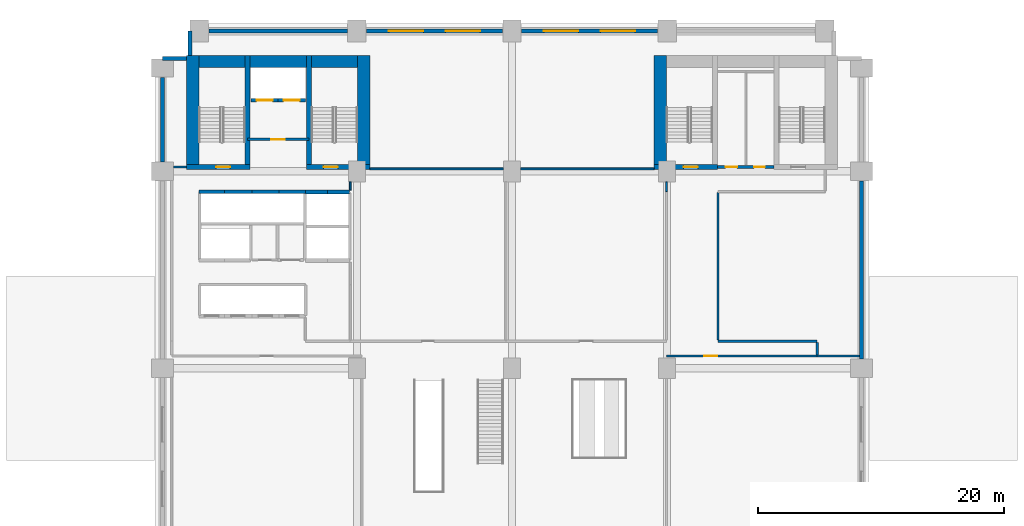
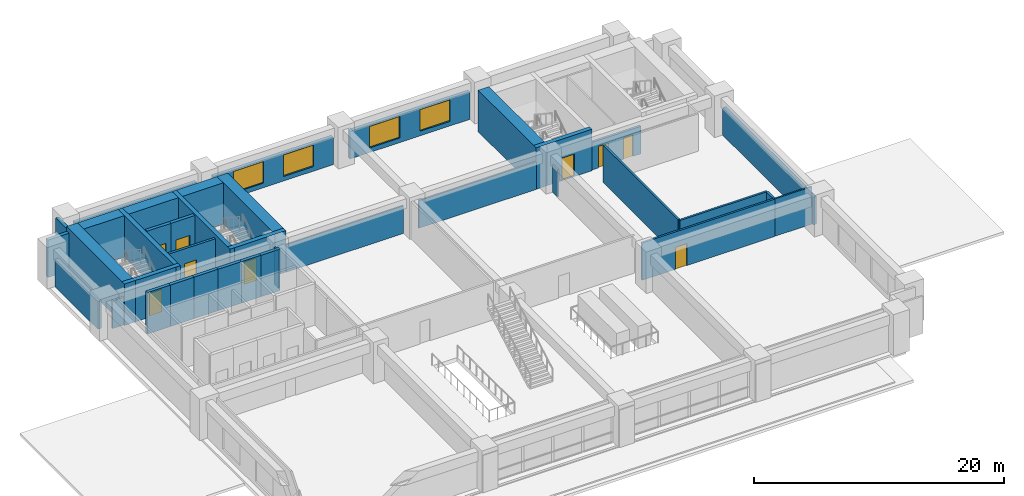
# One storey, part 6 of 11: 36 walls, 9 doors, 4 windows, 13 openings.
"""IFC4 building model written with IfcOpenShell, lengths in metres."""

from ifc_helpers import new_model, si_unit, direction, frame, frame_2d, origin, place, context, subcontext, project, spatial, rectangle, extrude, material, layer, layer_set, type_object, element, fill, save


model = new_model("IFC4")

# Units and contexts
model_context = context("Model", 3, precision=1e-05, world=origin(), true_north=direction((0.0, 1.0)))
body_context = subcontext(model_context, "Body", "Model", "MODEL_VIEW")
ifc_project = project(units=[si_unit("LENGTHUNIT", "METRE"), si_unit("AREAUNIT", "SQUARE_METRE"), si_unit("VOLUMEUNIT", "CUBIC_METRE"), si_unit("PLANEANGLEUNIT", "RADIAN"), si_unit("MASSUNIT", "GRAM", prefix="KILO")], contexts=[model_context])

# Site, building, storey
site_placement = place(None, origin())
site = spatial("IfcSite", under=ifc_project, at=site_placement, CompositionType="ELEMENT")
building_placement = place(site_placement, origin())
building = spatial("IfcBuilding", under=site, at=building_placement, Name="Sulina Concourse Tower", CompositionType="ELEMENT")
storey_placement = place(building_placement, frame((0.0, 0.0, 5.39990234375)))
storey = spatial("IfcBuildingStorey", under=building, at=storey_placement, Name="L01", CompositionType="ELEMENT", Elevation=5.39990234375)

# Walls
ifc_material_1 = material(Name="Concrete C50/60", Category="concrete")
ifc_layer_1 = layer(ifc_material_1, 0.300048828125)
ifc_layer_set_1 = layer_set([ifc_layer_1], Name="Concrete C50/60")
wall_type_1 = type_object("IfcWallType", Name="Core Lift Hoistway Wall 300mm", PredefinedType="SOLIDWALL", material=ifc_layer_set_1)
for number, where, z_axis, x_axis, name in (
    (1, (12.219970703125, 32.320068359375, 0.0), (0.0, 0.0, 1.0), (1.0, 0.0, 0.0), "L01 hoistway enclosure wall LP-07"),
    (2, (14.0, 32.320068359375, 0.0), (0.0, 0.0, 1.0), (1.0, 0.0, 0.0), "L01 hoistway enclosure wall LP-08"),
):
    element("IfcWall", number, at=place(storey_placement, frame(where, z_axis=z_axis, x_axis=x_axis)), inside=storey, type_object=wall_type_1, Name=name, PredefinedType="SOLIDWALL", context=body_context, shape_type="SweptSolid", body=[
        extrude(rectangle(XDim=1.780029296875, YDim=0.300048828125, at=frame_2d((0.89013671875, 0.0))), origin(), (0.0, 0.0, 1.0), 4.050048828125),
    ])
wall_1_placement = place(storey_placement, frame((3.550048828125, 32.35009765625, 0.0), z_axis=(0.0, 0.0, 1.0), x_axis=(1.0, 0.0, 0.0)))
element("IfcWall", 3, at=wall_1_placement, inside=storey, type_object=wall_type_1, Name="L01 hoistway enclosure wall LP-09", PredefinedType="SOLIDWALL", context=body_context, shape_type="SweptSolid", body=[
    extrude(rectangle(XDim=2.099853515625, YDim=0.300048828125, at=frame_2d((1.0498046875, 0.0))), origin(), (0.0, 0.0, 1.0), 4.050048828125),
])
wall_2_placement = place(storey_placement, frame((5.64990234375, 32.35009765625, 0.0), z_axis=(0.0, 0.0, 1.0), x_axis=(1.0, 0.0, 0.0)))
element("IfcWall", 4, at=wall_2_placement, inside=storey, type_object=wall_type_1, Name="L01 hoistway enclosure wall LP-10", PredefinedType="SOLIDWALL", context=body_context, shape_type="SweptSolid", body=[
    extrude(rectangle(XDim=2.2001953125, YDim=0.300048828125, at=frame_2d((1.10009765625, 0.0))), origin(), (0.0, 0.0, 1.0), 4.050048828125),
])
wall_3_placement = place(storey_placement, frame((7.85009765625, 32.35009765625, 0.0), z_axis=(0.0, 0.0, 1.0), x_axis=(1.0, 0.0, 0.0)))
element("IfcWall", 5, at=wall_3_placement, inside=storey, type_object=wall_type_1, Name="L01 hoistway enclosure wall LP-11", PredefinedType="SOLIDWALL", context=body_context, shape_type="SweptSolid", body=[
    extrude(rectangle(XDim=2.199951171875, YDim=0.300048828125, at=frame_2d((1.10009765625, 0.0))), origin(), (0.0, 0.0, 1.0), 4.050048828125),
])
wall_4_placement = place(storey_placement, frame((10.050048828125, 32.35009765625, 0.0), z_axis=(0.0, 0.0, 1.0), x_axis=(1.0, 0.0, 0.0)))
element("IfcWall", 6, at=wall_4_placement, inside=storey, type_object=wall_type_1, Name="L01 hoistway enclosure wall LP-12", PredefinedType="SOLIDWALL", context=body_context, shape_type="SweptSolid", body=[
    extrude(rectangle(XDim=2.14990234375, YDim=0.300048828125, at=frame_2d((1.074951171875, 0.0))), origin(), (0.0, 0.0, 1.0), 4.050048828125),
])

# Wall, opening, door
wall_5_placement = place(storey_placement, frame((10.0, 39.780029296875, 0.0), z_axis=(0.0, 0.0, 1.0), x_axis=(-1.0, 0.0, 0.0)))
wall_5 = element("IfcWall", 7, at=wall_5_placement, inside=storey, type_object=wall_type_1, Name="L01 hoistway enclosure wall FFL-1", PredefinedType="SOLIDWALL", context=body_context, shape_type="SweptSolid", body=[
    extrude(rectangle(XDim=2.199951171875, YDim=0.300048828125, at=frame_2d((1.10009765625, 0.0))), origin(), (0.0, 0.0, 1.0), 4.050048828125),
])
opening_1_placement = place(wall_5_placement, frame((0.449951171875, 0.0, 0.0)))
opening_1 = element("IfcOpeningElement", 8, at=opening_1_placement, cuts=wall_5, Name="Opening LD-02", PredefinedType="OPENING", context=body_context, shape_type="SweptSolid", body=[
    extrude(rectangle(XDim=1.300048828125, YDim=2.25, at=frame_2d((0.64990234375, 1.125))), frame((0.0, 0.159912109375, 0.0), z_axis=(0.0, -1.0, 0.0), x_axis=(1.0, 0.0, 0.0)), (0.0, 0.0, 1.0), 0.320068359375),
])
ifc_material_2 = material(Name="Stainless steel lift landing door", Category="steel")
ifc_layer_2 = layer(ifc_material_2, 0.050048828125)
ifc_layer_set_2 = layer_set([ifc_layer_2], Name="Stainless steel lift landing door")
door_type_1 = type_object("IfcDoorType", Name="Firefighting Lift Sliding Landing Door 1300x2250", OperationType="SLIDING_TO_RIGHT", PredefinedType="DOOR", material=ifc_layer_set_2)
door_1_placement = place(opening_1_placement, origin())
door_1 = element("IfcDoor", 9, at=door_1_placement, inside=storey, type_object=door_type_1, Name="L01 lift landing sliding door FFL-1", OperationType="SLIDING_TO_LEFT", OverallHeight=2.25, OverallWidth=1.300048828125, PredefinedType="DOOR", context=body_context, shape_type="SweptSolid", body=[
    extrude(rectangle(XDim=1.300048828125, YDim=2.25, at=frame_2d((0.64990234375, 1.125))), frame((0.0, 0.02490234375, 0.0), z_axis=(0.0, -1.0, 0.0), x_axis=(1.0, 0.0, 0.0)), (0.0, 0.0, 1.0), 0.050048828125),
])
fill(opening_1, door_1)

wall_6_placement = place(storey_placement, frame((12.199951171875, 39.780029296875, 0.0), z_axis=(0.0, 0.0, 1.0), x_axis=(-1.0, 0.0, 0.0)))
wall_6 = element("IfcWall", 10, at=wall_6_placement, inside=storey, type_object=wall_type_1, Name="L01 hoistway enclosure wall FFL-2", PredefinedType="SOLIDWALL", context=body_context, shape_type="SweptSolid", body=[
    extrude(rectangle(XDim=2.199951171875, YDim=0.300048828125, at=frame_2d((1.10009765625, 0.0))), origin(), (0.0, 0.0, 1.0), 4.050048828125),
])
opening_2_placement = place(wall_6_placement, frame((0.449951171875, 0.0, 0.0)))
opening_2 = element("IfcOpeningElement", 11, at=opening_2_placement, cuts=wall_6, Name="Opening LD-02", PredefinedType="OPENING", context=body_context, shape_type="SweptSolid", body=[
    extrude(rectangle(XDim=1.300048828125, YDim=2.25, at=frame_2d((0.64990234375, 1.125))), frame((0.0, 0.159912109375, 0.0), z_axis=(0.0, -1.0, 0.0), x_axis=(1.0, 0.0, 0.0)), (0.0, 0.0, 1.0), 0.320068359375),
])
door_2_placement = place(opening_2_placement, origin())
door_2 = element("IfcDoor", 12, at=door_2_placement, inside=storey, type_object=door_type_1, Name="L01 lift landing sliding door FFL-2", OperationType="SLIDING_TO_RIGHT", OverallHeight=2.25, OverallWidth=1.300048828125, PredefinedType="DOOR", context=body_context, shape_type="SweptSolid", body=[
    extrude(rectangle(XDim=1.300048828125, YDim=2.25, at=frame_2d((0.64990234375, 1.125))), frame((0.0, 0.02490234375, 0.0), z_axis=(0.0, -1.0, 0.0), x_axis=(1.0, 0.0, 0.0)), (0.0, 0.0, 1.0), 0.050048828125),
])
fill(opening_2, door_2)

ifc_material_3 = material(Name="Gypsum board on steel stud", Category="steel")
ifc_layer_3 = layer(ifc_material_3, 0.219970703125)
ifc_layer_set_3 = layer_set([ifc_layer_3], Name="Gypsum board on steel stud")
wall_type_2 = type_object("IfcWallType", Name="Fire-Rated Lobby & Compartment Wall 220mm", PredefinedType="PARTITIONING", material=ifc_layer_set_3)
wall_7_placement = place(storey_placement, frame((7.510009765625, 36.60009765625, 0.0), z_axis=(0.0, 0.0, 1.0), x_axis=(1.0, 0.0, 0.0)))
wall_7 = element("IfcWall", 13, at=wall_7_placement, inside=storey, type_object=wall_type_2, Name="L01 firefighting lobby south fire wall", PredefinedType="PARTITIONING", context=body_context, shape_type="SweptSolid", body=[
    extrude(rectangle(XDim=4.97998046875, YDim=0.219970703125, at=frame_2d((2.489990234375, 0.0))), origin(), (0.0, 0.0, 1.0), 3.650146484375),
])
opening_3_placement = place(wall_7_placement, frame((1.93994140625, 0.0, 0.0)))
opening_3 = element("IfcOpeningElement", 14, at=opening_3_placement, cuts=wall_7, Name="Opening DR-47", PredefinedType="OPENING", context=body_context, shape_type="SweptSolid", body=[
    extrude(rectangle(XDim=1.10009765625, YDim=2.199951171875, at=frame_2d((0.550048828125, 1.10009765625))), frame((0.0, 0.119873046875, 0.0), z_axis=(0.0, -1.0, 0.0), x_axis=(1.0, 0.0, 0.0)), (0.0, 0.0, 1.0), 0.239990234375),
])
ifc_material_4 = material(Name="Galvanised steel acoustic fire leaf", Category="steel")
ifc_layer_4 = layer(ifc_material_4, 0.054931640625)
ifc_layer_set_4 = layer_set([ifc_layer_4], Name="Galvanised steel acoustic fire leaf")
door_type_2 = type_object("IfcDoorType", Name="Firefighting Lobby Fire Door 1100x2200", OperationType="NOTDEFINED", PredefinedType="DOOR", material=ifc_layer_set_4)
door_3_placement = place(opening_3_placement, origin())
door_3 = element("IfcDoor", 15, at=door_3_placement, inside=storey, type_object=door_type_2, Name="L01 firefighting lobby fire door", OperationType="SINGLE_SWING_RIGHT", OverallHeight=2.199951171875, OverallWidth=1.10009765625, PredefinedType="DOOR", context=body_context, shape_type="SweptSolid", body=[
    extrude(rectangle(XDim=1.10009765625, YDim=2.199951171875, at=frame_2d((0.550048828125, 1.10009765625))), frame((0.0, 0.02490234375, 0.0), z_axis=(0.0, -1.0, 0.0), x_axis=(1.0, 0.0, 0.0)), (0.0, 0.0, 1.0), 0.050048828125),
])
fill(opening_3, door_3)

# Wall, openings, doors
wall_8_placement = place(storey_placement, frame((45.719970703125, 34.35009765625, 0.0), z_axis=(0.0, 0.0, 1.0), x_axis=(1.0, 0.0, 0.0)))
wall_8 = element("IfcWall", 16, at=wall_8_placement, inside=storey, type_object=wall_type_2, Name="L01 east core south lobby wall", PredefinedType="PARTITIONING", context=body_context, shape_type="SweptSolid", body=[
    extrude(rectangle(XDim=4.56005859375, YDim=0.219970703125, at=frame_2d((2.280029296875, 0.0))), origin(), (0.0, 0.0, 1.0), 2.695068359375),
])
opening_4_placement = place(wall_8_placement, frame((0.64990234375, 0.0, 0.0)))
opening_4 = element("IfcOpeningElement", 17, at=opening_4_placement, cuts=wall_8, Name="Opening DR-61", PredefinedType="OPENING", context=body_context, shape_type="SweptSolid", body=[
    extrude(rectangle(XDim=0.919921875, YDim=2.10009765625, at=frame_2d((0.4599609375, 1.050048828125))), frame((0.0, 0.119873046875, 0.0), z_axis=(0.0, -1.0, 0.0), x_axis=(1.0, 0.0, 0.0)), (0.0, 0.0, 1.0), 0.239990234375),
])
opening_5_placement = place(wall_8_placement, frame((2.949951171875, 0.0, 0.0)))
opening_5 = element("IfcOpeningElement", 18, at=opening_5_placement, cuts=wall_8, Name="Opening DR-38", PredefinedType="OPENING", context=body_context, shape_type="SweptSolid", body=[
    extrude(rectangle(XDim=0.8798828125, YDim=2.10009765625, at=frame_2d((0.43994140625, 1.050048828125))), frame((0.0, 0.119873046875, 0.0), z_axis=(0.0, -1.0, 0.0), x_axis=(1.0, 0.0, 0.0)), (0.0, 0.0, 1.0), 0.239990234375),
])
ifc_material_5 = material(Name="Oak-veneered fire door leaf")
ifc_layer_5 = layer(ifc_material_5, 0.050048828125)
ifc_layer_set_5 = layer_set([ifc_layer_5], Name="Oak-veneered fire door leaf")
door_type_3 = type_object("IfcDoorType", Name="Accessible WC Door 920x2100", OperationType="NOTDEFINED", PredefinedType="DOOR", material=ifc_layer_set_5)
door_4_placement = place(opening_4_placement, origin())
door_4 = element("IfcDoor", 19, at=door_4_placement, inside=storey, type_object=door_type_3, Name="L01 east core accessible wc door", OperationType="SINGLE_SWING_RIGHT", OverallHeight=2.10009765625, OverallWidth=0.919921875, PredefinedType="DOOR", context=body_context, shape_type="SweptSolid", body=[
    extrude(rectangle(XDim=0.919921875, YDim=2.10009765625, at=frame_2d((0.4599609375, 1.050048828125))), frame((0.0, 0.02490234375, 0.0), z_axis=(0.0, -1.0, 0.0), x_axis=(1.0, 0.0, 0.0)), (0.0, 0.0, 1.0), 0.050048828125),
])
fill(opening_4, door_4)
ifc_material_6 = material(Name="Galvanised steel acoustic fire leaf", Category="steel")
ifc_layer_6 = layer(ifc_material_6, 0.050048828125)
ifc_layer_set_6 = layer_set([ifc_layer_6], Name="Galvanised steel acoustic fire leaf")
door_type_4 = type_object("IfcDoorType", Name="Service Riser Fire Door 880x2100", OperationType="NOTDEFINED", PredefinedType="DOOR", material=ifc_layer_set_6)
door_5_placement = place(opening_5_placement, origin())
door_5 = element("IfcDoor", 20, at=door_5_placement, inside=storey, type_object=door_type_4, Name="L01 east core store door", OperationType="SINGLE_SWING_LEFT", OverallHeight=2.10009765625, OverallWidth=0.8798828125, PredefinedType="DOOR", context=body_context, shape_type="SweptSolid", body=[
    extrude(rectangle(XDim=0.8798828125, YDim=2.10009765625, at=frame_2d((0.43994140625, 1.050048828125))), frame((0.0, 0.02490234375, 0.0), z_axis=(0.0, -1.0, 0.0), x_axis=(1.0, 0.0, 0.0)), (0.0, 0.0, 1.0), 0.050048828125),
])
fill(opening_5, door_5)

# Walls
ifc_material_7 = material(Name="Gypsum board on steel stud", Category="steel")
ifc_layer_7 = layer(ifc_material_7, 0.14990234375)
ifc_layer_set_7 = layer_set([ifc_layer_7], Name="Gypsum board on steel stud")
wall_type_3 = type_object("IfcWallType", Name="Inter-Tenancy Acoustic Partition 150mm", PredefinedType="PARTITIONING", material=ifc_layer_set_7)
wall_9_placement = place(storey_placement, frame((53.800048828125, 19.0, 0.0), z_axis=(0.0, 0.0, 1.0), x_axis=(1.0, 0.0, 0.0)))
element("IfcWall", 21, at=wall_9_placement, inside=storey, type_object=wall_type_3, Name="L01 interior partition 007", PredefinedType="PARTITIONING", context=body_context, shape_type="SweptSolid", body=[
    extrude(rectangle(XDim=3.43994140625, YDim=0.14990234375, at=frame_2d((1.719970703125, 0.0))), origin(), (0.0, 0.0, 1.0), 3.650146484375),
])
for number, where, z_axis, x_axis, name in (
    (22, (17.449951171875, 34.199951171875, 0.0), (0.0, 0.0, 1.0), (1.0, 0.0, 0.0), "L01 interior partition 015"),
    (23, (29.699951171875, 34.199951171875, 0.0), (0.0, 0.0, 1.0), (1.0, 0.0, 0.0), "L01 interior partition 016"),
):
    element("IfcWall", number, at=place(storey_placement, frame(where, z_axis=z_axis, x_axis=x_axis)), inside=storey, type_object=wall_type_3, Name=name, PredefinedType="PARTITIONING", context=body_context, shape_type="SweptSolid", body=[
        extrude(rectangle(XDim=10.85009765625, YDim=0.14990234375, at=frame_2d((5.425048828125, 0.0))), origin(), (0.0, 0.0, 1.0), 2.695068359375),
    ])
wall_10_placement = place(storey_placement, frame((15.85009765625, 32.469970703125, 0.0), z_axis=(0.0, 0.0, 1.0), x_axis=(0.0, 1.0, 0.0)))
element("IfcWall", 24, at=wall_10_placement, inside=storey, type_object=wall_type_3, Name="L01 interior partition 028", PredefinedType="PARTITIONING", context=body_context, shape_type="SweptSolid", body=[
    extrude(rectangle(XDim=0.679931640625, YDim=0.14990234375, at=frame_2d((0.33984375, 0.0))), origin(), (0.0, 0.0, 1.0), 3.650146484375),
])
wall_11_placement = place(storey_placement, frame((41.550048828125, 32.35009765625, 0.0), z_axis=(0.0, 0.0, 1.0), x_axis=(0.0, 1.0, 0.0)))
element("IfcWall", 25, at=wall_11_placement, inside=storey, type_object=wall_type_3, Name="L01 interior partition 033", PredefinedType="PARTITIONING", context=body_context, shape_type="SweptSolid", body=[
    extrude(rectangle(XDim=0.7998046875, YDim=0.14990234375, at=frame_2d((0.39990234375, 0.0))), origin(), (0.0, 0.0, 1.0), 2.695068359375),
])
ifc_material_8 = material(Name="Precast concrete C50/60", Category="concrete")
ifc_layer_8 = layer(ifc_material_8, 0.320068359375)
ifc_layer_set_8 = layer_set([ifc_layer_8], Name="Precast concrete C50/60")
wall_type_4 = type_object("IfcWallType", Name="Lower Precast Masonry-Frame Facade Wall 320mm", PredefinedType="SOLIDWALL", material=ifc_layer_set_8)
wall_12_placement = place(storey_placement, frame((0.60009765625, 34.77001953125, 0.0), z_axis=(0.0, 0.0, 1.0), x_axis=(0.0, 1.0, 0.0)))
element("IfcWall", 26, at=wall_12_placement, inside=storey, type_object=wall_type_4, Name="L01 exterior precast wall W3", PredefinedType="SOLIDWALL", context=body_context, shape_type="SweptSolid", body=[
    extrude(rectangle(XDim=6.85986328125, YDim=0.320068359375, at=frame_2d((3.429931640625, 0.0))), origin(), (0.0, 0.0, 1.0), 2.7001953125),
])
wall_13_placement = place(storey_placement, frame((4.3701171875, 45.39990234375, 0.0), z_axis=(0.0, 0.0, 1.0), x_axis=(1.0, 0.0, 0.0)))
element("IfcWall", 27, at=wall_13_placement, inside=storey, type_object=wall_type_4, Name="L01 exterior precast wall N1", PredefinedType="SOLIDWALL", context=body_context, shape_type="SweptSolid", body=[
    extrude(rectangle(XDim=11.259765625, YDim=0.320068359375, at=frame_2d((5.6298828125, 0.0))), origin(), (0.0, 0.0, 1.0), 2.7001953125),
])

# Wall, openings, windows
wall_14_placement = place(storey_placement, frame((17.169921875, 45.39990234375, 0.0), z_axis=(0.0, 0.0, 1.0), x_axis=(1.0, 0.0, 0.0)))
wall_14 = element("IfcWall", 28, at=wall_14_placement, inside=storey, type_object=wall_type_4, Name="L01 exterior precast wall N2", PredefinedType="SOLIDWALL", context=body_context, shape_type="SweptSolid", body=[
    extrude(rectangle(XDim=11.06005859375, YDim=0.320068359375, at=frame_2d((5.530029296875, 0.0))), origin(), (0.0, 0.0, 1.0), 2.7001953125),
])
opening_6_placement = place(wall_14_placement, frame((1.820068359375, 0.0, 0.449951171875)))
opening_6 = element("IfcOpeningElement", 29, at=opening_6_placement, cuts=wall_14, Name="Opening WN-83", PredefinedType="OPENING", context=body_context, shape_type="SweptSolid", body=[
    extrude(rectangle(XDim=2.800048828125, YDim=2.10009765625, at=frame_2d((1.39990234375, 1.050048828125))), frame((0.0, 0.169921875, 0.0), z_axis=(0.0, -1.0, 0.0), x_axis=(1.0, 0.0, 0.0)), (0.0, 0.0, 1.0), 0.340087890625),
])
opening_7_placement = place(wall_14_placement, frame((6.43994140625, 0.0, 0.449951171875)))
opening_7 = element("IfcOpeningElement", 30, at=opening_7_placement, cuts=wall_14, Name="Opening WN-83", PredefinedType="OPENING", context=body_context, shape_type="SweptSolid", body=[
    extrude(rectangle(XDim=2.800048828125, YDim=2.10009765625, at=frame_2d((1.39990234375, 1.050048828125))), frame((0.0, 0.169921875, 0.0), z_axis=(0.0, -1.0, 0.0), x_axis=(1.0, 0.0, 0.0)), (0.0, 0.0, 1.0), 0.340087890625),
])
ifc_material_9 = material(Name="Low-E solar double glazing in bronze aluminium", Category="aluminium")
window_type = type_object("IfcWindowType", Name="Station Podium Clerestory Window 2800x2100", PartitioningType="TRIPLE_PANEL_VERTICAL", PredefinedType="WINDOW", material=ifc_material_9)
window_1_placement = place(opening_6_placement, origin())
window_1 = element("IfcWindow", 31, at=window_1_placement, inside=storey, type_object=window_type, Name="L01 punched window N2-1", OverallHeight=2.10009765625, OverallWidth=2.800048828125, PartitioningType="SINGLE_PANEL", PredefinedType="WINDOW", context=body_context, shape_type="SweptSolid", body=[
    extrude(rectangle(XDim=2.800048828125, YDim=2.10009765625, at=frame_2d((1.39990234375, 1.050048828125))), frame((0.0, 0.030029296875, 0.0), z_axis=(0.0, -1.0, 0.0), x_axis=(1.0, 0.0, 0.0)), (0.0, 0.0, 1.0), 0.06005859375),
])
fill(opening_6, window_1)
window_2_placement = place(opening_7_placement, origin())
window_2 = element("IfcWindow", 32, at=window_2_placement, inside=storey, type_object=window_type, Name="L01 punched window N2-2", OverallHeight=2.10009765625, OverallWidth=2.800048828125, PartitioningType="SINGLE_PANEL", PredefinedType="WINDOW", context=body_context, shape_type="SweptSolid", body=[
    extrude(rectangle(XDim=2.800048828125, YDim=2.10009765625, at=frame_2d((1.39990234375, 1.050048828125))), frame((0.0, 0.030029296875, 0.0), z_axis=(0.0, -1.0, 0.0), x_axis=(1.0, 0.0, 0.0)), (0.0, 0.0, 1.0), 0.06005859375),
])
fill(opening_7, window_2)

wall_15_placement = place(storey_placement, frame((29.77001953125, 45.39990234375, 0.0), z_axis=(0.0, 0.0, 1.0), x_axis=(1.0, 0.0, 0.0)))
wall_15 = element("IfcWall", 33, at=wall_15_placement, inside=storey, type_object=wall_type_4, Name="L01 exterior precast wall N3", PredefinedType="SOLIDWALL", context=body_context, shape_type="SweptSolid", body=[
    extrude(rectangle(XDim=11.06005859375, YDim=0.320068359375, at=frame_2d((5.530029296875, 0.0))), origin(), (0.0, 0.0, 1.0), 2.7001953125),
])
opening_8_placement = place(wall_15_placement, frame((1.820068359375, 0.0, 0.449951171875)))
opening_8 = element("IfcOpeningElement", 34, at=opening_8_placement, cuts=wall_15, Name="Opening WN-83", PredefinedType="OPENING", context=body_context, shape_type="SweptSolid", body=[
    extrude(rectangle(XDim=2.800048828125, YDim=2.10009765625, at=frame_2d((1.39990234375, 1.050048828125))), frame((0.0, 0.169921875, 0.0), z_axis=(0.0, -1.0, 0.0), x_axis=(1.0, 0.0, 0.0)), (0.0, 0.0, 1.0), 0.340087890625),
])
opening_9_placement = place(wall_15_placement, frame((6.43994140625, 0.0, 0.449951171875)))
opening_9 = element("IfcOpeningElement", 35, at=opening_9_placement, cuts=wall_15, Name="Opening WN-83", PredefinedType="OPENING", context=body_context, shape_type="SweptSolid", body=[
    extrude(rectangle(XDim=2.800048828125, YDim=2.10009765625, at=frame_2d((1.39990234375, 1.050048828125))), frame((0.0, 0.169921875, 0.0), z_axis=(0.0, -1.0, 0.0), x_axis=(1.0, 0.0, 0.0)), (0.0, 0.0, 1.0), 0.340087890625),
])
window_3_placement = place(opening_8_placement, origin())
window_3 = element("IfcWindow", 36, at=window_3_placement, inside=storey, type_object=window_type, Name="L01 punched window N3-1", OverallHeight=2.10009765625, OverallWidth=2.800048828125, PartitioningType="SINGLE_PANEL", PredefinedType="WINDOW", context=body_context, shape_type="SweptSolid", body=[
    extrude(rectangle(XDim=2.800048828125, YDim=2.10009765625, at=frame_2d((1.39990234375, 1.050048828125))), frame((0.0, 0.030029296875, 0.0), z_axis=(0.0, -1.0, 0.0), x_axis=(1.0, 0.0, 0.0)), (0.0, 0.0, 1.0), 0.06005859375),
])
fill(opening_8, window_3)
window_4_placement = place(opening_9_placement, origin())
window_4 = element("IfcWindow", 37, at=window_4_placement, inside=storey, type_object=window_type, Name="L01 punched window N3-2", OverallHeight=2.10009765625, OverallWidth=2.800048828125, PartitioningType="SINGLE_PANEL", PredefinedType="WINDOW", context=body_context, shape_type="SweptSolid", body=[
    extrude(rectangle(XDim=2.800048828125, YDim=2.10009765625, at=frame_2d((1.39990234375, 1.050048828125))), frame((0.0, 0.030029296875, 0.0), z_axis=(0.0, -1.0, 0.0), x_axis=(1.0, 0.0, 0.0)), (0.0, 0.0, 1.0), 0.06005859375),
])
fill(opening_9, window_4)

# Walls
wall_16_placement = place(storey_placement, frame((57.39990234375, 33.22998046875, 0.0), z_axis=(0.0, 0.0, 1.0), x_axis=(0.0, -1.0, 0.0)))
element("IfcWall", 38, at=wall_16_placement, inside=storey, type_object=wall_type_4, Name="L01 exterior precast wall E2", PredefinedType="SOLIDWALL", context=body_context, shape_type="SweptSolid", body=[
    extrude(rectangle(XDim=14.4599609375, YDim=0.320068359375, at=frame_2d((7.22998046875, 0.0))), origin(), (0.0, 0.0, 1.0), 2.7001953125),
])
wall_17_placement = place(storey_placement, frame((0.60009765625, 43.169921875, 0.0), z_axis=(0.0, 0.0, 1.0), x_axis=(1.0, 0.0, 0.0)))
element("IfcWall", 39, at=wall_17_placement, inside=storey, type_object=wall_type_4, Name="L01 exterior precast wall CNW1", PredefinedType="SOLIDWALL", context=body_context, shape_type="SweptSolid", body=[
    extrude(rectangle(XDim=1.94482421875, YDim=0.320068359375, at=frame_2d((0.972412109375, 0.0))), origin(), (0.0, 0.0, 1.0), 3.650146484375),
])
wall_18_placement = place(storey_placement, frame((2.830078125, 43.43505859375, 0.0), z_axis=(0.0, 0.0, 1.0), x_axis=(0.0, 1.0, 0.0)))
element("IfcWall", 40, at=wall_18_placement, inside=storey, type_object=wall_type_4, Name="L01 exterior precast wall CNW2", PredefinedType="SOLIDWALL", context=body_context, shape_type="SweptSolid", body=[
    extrude(rectangle(XDim=1.96484375, YDim=0.320068359375, at=frame_2d((0.982421875, 0.0))), origin(), (0.0, 0.0, 1.0), 3.650146484375),
])

# Wall, opening, door
ifc_material_10 = material(Name="Gypsum board on steel stud", Category="steel")
ifc_layer_9 = layer(ifc_material_10, 0.179931640625)
ifc_layer_set_9 = layer_set([ifc_layer_9], Name="Gypsum board on steel stud")
wall_type_5 = type_object("IfcWallType", Name="Protected Corridor & Riser Partition 180mm", PredefinedType="PARTITIONING", material=ifc_layer_set_9)
wall_19_placement = place(storey_placement, frame((41.550048828125, 19.0, 0.0), z_axis=(0.0, 0.0, 1.0), x_axis=(1.0, 0.0, 0.0)))
wall_19 = element("IfcWall", 41, at=wall_19_placement, inside=storey, type_object=wall_type_5, Name="L01 interior partition 006", PredefinedType="PARTITIONING", context=body_context, shape_type="SweptSolid", body=[
    extrude(rectangle(XDim=12.25, YDim=0.179931640625, at=frame_2d((6.125, 0.0))), origin(), (0.0, 0.0, 1.0), 3.650146484375),
])
opening_10_placement = place(wall_19_placement, frame((3.080078125, 0.0, 0.0)))
opening_10 = element("IfcOpeningElement", 42, at=opening_10_placement, cuts=wall_19, Name="Opening DR-37", PredefinedType="OPENING", context=body_context, shape_type="SweptSolid", body=[
    extrude(rectangle(XDim=1.050048828125, YDim=2.14990234375, at=frame_2d((0.52490234375, 1.074951171875))), frame((0.0, 0.099853515625, 0.0), z_axis=(0.0, -1.0, 0.0), x_axis=(1.0, 0.0, 0.0)), (0.0, 0.0, 1.0), 0.199951171875),
])
ifc_material_11 = material(Name="Oak-veneered fire door leaf")
ifc_layer_10 = layer(ifc_material_11, 0.050048828125)
ifc_layer_set_10 = layer_set([ifc_layer_10], Name="Oak-veneered fire door leaf")
door_type_5 = type_object("IfcDoorType", Name="Tenant Suite Entrance Fire Door 1050x2150", OperationType="NOTDEFINED", PredefinedType="DOOR", material=ifc_layer_set_10)
door_6_placement = place(opening_10_placement, origin())
door_6 = element("IfcDoor", 43, at=door_6_placement, inside=storey, type_object=door_type_5, Name="L01 interior door L01-OFF-ST", OperationType="SINGLE_SWING_LEFT", OverallHeight=2.14990234375, OverallWidth=1.050048828125, PredefinedType="DOOR", context=body_context, shape_type="SweptSolid", body=[
    extrude(rectangle(XDim=1.050048828125, YDim=2.14990234375, at=frame_2d((0.52490234375, 1.074951171875))), frame((0.0, 0.02490234375, 0.0), z_axis=(0.0, -1.0, 0.0), x_axis=(1.0, 0.0, 0.0)), (0.0, 0.0, 1.0), 0.050048828125),
])
fill(opening_10, door_6)

# Walls
wall_20_placement = place(storey_placement, frame((45.75, 20.199951171875, 0.0), z_axis=(0.0, 0.0, 1.0), x_axis=(1.0, 0.0, 0.0)))
element("IfcWall", 44, at=wall_20_placement, inside=storey, type_object=wall_type_5, Name="L01 interior partition 011", PredefinedType="PARTITIONING", context=body_context, shape_type="SweptSolid", body=[
    extrude(rectangle(XDim=8.050048828125, YDim=0.179931640625, at=frame_2d((4.02490234375, 0.0))), origin(), (0.0, 0.0, 1.0), 3.650146484375),
])
wall_21_placement = place(storey_placement, frame((1.5, 34.35009765625, 0.0), z_axis=(0.0, 0.0, 1.0), x_axis=(1.0, 0.0, 0.0)))
element("IfcWall", 45, at=wall_21_placement, inside=storey, type_object=wall_type_5, Name="L01 interior partition 017", PredefinedType="PARTITIONING", context=body_context, shape_type="SweptSolid", body=[
    extrude(rectangle(XDim=1.050048828125, YDim=0.179931640625, at=frame_2d((0.52490234375, 0.0))), origin(), (0.0, 0.0, 1.0), 2.695068359375),
])
wall_22_placement = place(storey_placement, frame((45.75, 20.2900390625, 0.0), z_axis=(0.0, 0.0, 1.0), x_axis=(0.0, 1.0, 0.0)))
element("IfcWall", 46, at=wall_22_placement, inside=storey, type_object=wall_type_5, Name="L01 interior partition 034", PredefinedType="PARTITIONING", context=body_context, shape_type="SweptSolid", body=[
    extrude(rectangle(XDim=11.98486328125, YDim=0.179931640625, at=frame_2d((5.992431640625, 0.0))), origin(), (0.0, 0.0, 1.0), 3.650146484375),
])
wall_23_placement = place(storey_placement, frame((53.800048828125, 19.090087890625, 0.0), z_axis=(0.0, 0.0, 1.0), x_axis=(0.0, 1.0, 0.0)))
element("IfcWall", 47, at=wall_23_placement, inside=storey, type_object=wall_type_5, Name="L01 interior partition 036", PredefinedType="PARTITIONING", context=body_context, shape_type="SweptSolid", body=[
    extrude(rectangle(XDim=1.02001953125, YDim=0.179931640625, at=frame_2d((0.510009765625, 0.0))), origin(), (0.0, 0.0, 1.0), 3.650146484375),
])

# Wall, opening, door
ifc_material_12 = material(Name="Concrete C60/75", Category="concrete")
ifc_layer_11 = layer(ifc_material_12, 0.39990234375)
ifc_layer_set_11 = layer_set([ifc_layer_11], Name="Concrete C60/75")
wall_type_6 = type_object("IfcWallType", Name="Protected Stair Core Shear Wall 400mm", PredefinedType="SHEAR", material=ifc_layer_set_11)
wall_24_placement = place(storey_placement, frame((2.550048828125, 34.35009765625, 0.0), z_axis=(0.0, 0.0, 1.0), x_axis=(1.0, 0.0, 0.0)))
wall_24 = element("IfcWall", 48, at=wall_24_placement, inside=storey, type_object=wall_type_6, Name="L01 west core shear wall CW-WS1", PredefinedType="SHEAR", context=body_context, shape_type="SweptSolid", body=[
    extrude(rectangle(XDim=5.159912109375, YDim=0.39990234375, at=frame_2d((2.580078125, 0.0))), origin(), (0.0, 0.0, 1.0), 4.050048828125),
])
opening_11_placement = place(wall_24_placement, frame((2.39990234375, 0.0, 0.0)))
opening_11 = element("IfcOpeningElement", 49, at=opening_11_placement, cuts=wall_24, Name="Opening DR-60", PredefinedType="OPENING", context=body_context, shape_type="SweptSolid", body=[
    extrude(rectangle(XDim=1.14990234375, YDim=2.199951171875, at=frame_2d((0.574951171875, 1.10009765625))), frame((0.0, 0.2099609375, 0.0), z_axis=(0.0, -1.0, 0.0), x_axis=(1.0, 0.0, 0.0)), (0.0, 0.0, 1.0), 0.419921875),
])
ifc_material_13 = material(Name="Galvanised steel acoustic fire leaf", Category="steel")
ifc_layer_12 = layer(ifc_material_13, 0.054931640625)
ifc_layer_set_12 = layer_set([ifc_layer_12], Name="Galvanised steel acoustic fire leaf")
door_type_6 = type_object("IfcDoorType", Name="Protected Exit Stair Fire Door 1150x2200", OperationType="NOTDEFINED", PredefinedType="DOOR", material=ifc_layer_set_12)
door_7_placement = place(opening_11_placement, origin())
door_7 = element("IfcDoor", 50, at=door_7_placement, inside=storey, type_object=door_type_6, Name="L01 stair ST-1 lobby fire door", OperationType="SINGLE_SWING_RIGHT", OverallHeight=2.199951171875, OverallWidth=1.14990234375, PredefinedType="DOOR", context=body_context, shape_type="SweptSolid", body=[
    extrude(rectangle(XDim=1.14990234375, YDim=2.199951171875, at=frame_2d((0.574951171875, 1.10009765625))), frame((0.0, 0.02490234375, 0.0), z_axis=(0.0, -1.0, 0.0), x_axis=(1.0, 0.0, 0.0)), (0.0, 0.0, 1.0), 0.050048828125),
])
fill(opening_11, door_7)

wall_25_placement = place(storey_placement, frame((12.2900390625, 34.35009765625, 0.0), z_axis=(0.0, 0.0, 1.0), x_axis=(1.0, 0.0, 0.0)))
wall_25 = element("IfcWall", 51, at=wall_25_placement, inside=storey, type_object=wall_type_6, Name="L01 west core shear wall CW-WS2", PredefinedType="SHEAR", context=body_context, shape_type="SweptSolid", body=[
    extrude(rectangle(XDim=5.159912109375, YDim=0.39990234375, at=frame_2d((2.580078125, 0.0))), origin(), (0.0, 0.0, 1.0), 4.050048828125),
])
opening_12_placement = place(wall_25_placement, frame((1.39990234375, 0.0, 0.0)))
opening_12 = element("IfcOpeningElement", 52, at=opening_12_placement, cuts=wall_25, Name="Opening DR-60", PredefinedType="OPENING", context=body_context, shape_type="SweptSolid", body=[
    extrude(rectangle(XDim=1.14990234375, YDim=2.199951171875, at=frame_2d((0.574951171875, 1.10009765625))), frame((0.0, 0.2099609375, 0.0), z_axis=(0.0, -1.0, 0.0), x_axis=(1.0, 0.0, 0.0)), (0.0, 0.0, 1.0), 0.419921875),
])
door_8_placement = place(opening_12_placement, origin())
door_8 = element("IfcDoor", 53, at=door_8_placement, inside=storey, type_object=door_type_6, Name="L01 stair ST-2 lobby fire door", OperationType="SINGLE_SWING_LEFT", OverallHeight=2.199951171875, OverallWidth=1.14990234375, PredefinedType="DOOR", context=body_context, shape_type="SweptSolid", body=[
    extrude(rectangle(XDim=1.14990234375, YDim=2.199951171875, at=frame_2d((0.574951171875, 1.10009765625))), frame((0.0, 0.02490234375, 0.0), z_axis=(0.0, -1.0, 0.0), x_axis=(1.0, 0.0, 0.0)), (0.0, 0.0, 1.0), 0.050048828125),
])
fill(opening_12, door_8)

# Walls
for number, where, z_axis, x_axis, name in (
    (54, (7.510009765625, 34.14990234375, 0.0), (0.0, 0.0, 1.0), (0.0, 1.0, 0.0), "L01 west core shear wall SW-ST1"),
    (55, (12.489990234375, 34.14990234375, 0.0), (0.0, 0.0, 1.0), (0.0, 1.0, 0.0), "L01 west core shear wall SW-ST2"),
):
    element("IfcWall", number, at=place(storey_placement, frame(where, z_axis=z_axis, x_axis=x_axis)), inside=storey, type_object=wall_type_6, Name=name, PredefinedType="SHEAR", context=body_context, shape_type="SweptSolid", body=[
        extrude(rectangle(XDim=9.280029296875, YDim=0.39990234375, at=frame_2d((4.64013671875, 0.0))), origin(), (0.0, 0.0, 1.0), 4.050048828125),
    ])

# Wall, opening, door
wall_26_placement = place(storey_placement, frame((40.550048828125, 34.35009765625, 0.0), z_axis=(0.0, 0.0, 1.0), x_axis=(1.0, 0.0, 0.0)))
wall_26 = element("IfcWall", 56, at=wall_26_placement, inside=storey, type_object=wall_type_6, Name="L01 east core shear wall CW-ES1", PredefinedType="SHEAR", context=body_context, shape_type="SweptSolid", body=[
    extrude(rectangle(XDim=5.159912109375, YDim=0.39990234375, at=frame_2d((2.580078125, 0.0))), origin(), (0.0, 0.0, 1.0), 4.050048828125),
])
opening_13_placement = place(wall_26_placement, frame((2.39990234375, 0.0, 0.0)))
opening_13 = element("IfcOpeningElement", 57, at=opening_13_placement, cuts=wall_26, Name="Opening DR-60", PredefinedType="OPENING", context=body_context, shape_type="SweptSolid", body=[
    extrude(rectangle(XDim=1.14990234375, YDim=2.199951171875, at=frame_2d((0.574951171875, 1.10009765625))), frame((0.0, 0.2099609375, 0.0), z_axis=(0.0, -1.0, 0.0), x_axis=(1.0, 0.0, 0.0)), (0.0, 0.0, 1.0), 0.419921875),
])
door_9_placement = place(opening_13_placement, origin())
door_9 = element("IfcDoor", 58, at=door_9_placement, inside=storey, type_object=door_type_6, Name="L01 stair ST-3 south lobby fire door", OperationType="SINGLE_SWING_LEFT", OverallHeight=2.199951171875, OverallWidth=1.14990234375, PredefinedType="DOOR", context=body_context, shape_type="SweptSolid", body=[
    extrude(rectangle(XDim=1.14990234375, YDim=2.199951171875, at=frame_2d((0.574951171875, 1.10009765625))), frame((0.0, 0.02490234375, 0.0), z_axis=(0.0, -1.0, 0.0), x_axis=(1.0, 0.0, 0.0)), (0.0, 0.0, 1.0), 0.050048828125),
])
fill(opening_13, door_9)

# Walls
ifc_material_14 = material(Name="Concrete C80/95", Category="concrete")
ifc_layer_13 = layer(ifc_material_14, 1.0)
ifc_layer_set_13 = layer_set([ifc_layer_13], Name="Concrete C80/95")
wall_type_7 = type_object("IfcWallType", Name="Rear Core Shear Wall 1000mm", PredefinedType="SHEAR", material=ifc_layer_set_13)
wall_27_placement = place(storey_placement, frame((2.550048828125, 42.929931640625, 0.0), z_axis=(0.0, 0.0, 1.0), x_axis=(1.0, 0.0, 0.0)))
element("IfcWall", 59, at=wall_27_placement, inside=storey, type_object=wall_type_7, Name="L01 west core shear wall CW-WN", PredefinedType="SHEAR", context=body_context, shape_type="SweptSolid", body=[
    extrude(rectangle(XDim=14.89990234375, YDim=1.0, at=frame_2d((7.449951171875, 0.0))), origin(), (0.0, 0.0, 1.0), 4.050048828125),
])
for number, where, z_axis, x_axis, name in (
    (60, (3.050048828125, 34.14990234375, 0.0), (0.0, 0.0, 1.0), (0.0, 1.0, 0.0), "L01 west core shear wall CW-WW"),
    (61, (16.949951171875, 34.14990234375, 0.0), (0.0, 0.0, 1.0), (0.0, 1.0, 0.0), "L01 west core shear wall CW-WE"),
    (62, (41.050048828125, 34.14990234375, 0.0), (0.0, 0.0, 1.0), (0.0, 1.0, 0.0), "L01 east core shear wall CW-EW"),
):
    element("IfcWall", number, at=place(storey_placement, frame(where, z_axis=z_axis, x_axis=x_axis)), inside=storey, type_object=wall_type_7, Name=name, PredefinedType="SHEAR", context=body_context, shape_type="SweptSolid", body=[
        extrude(rectangle(XDim=9.280029296875, YDim=1.0, at=frame_2d((4.64013671875, 0.0))), origin(), (0.0, 0.0, 1.0), 4.050048828125),
    ])

save(model, "model.ifc")
